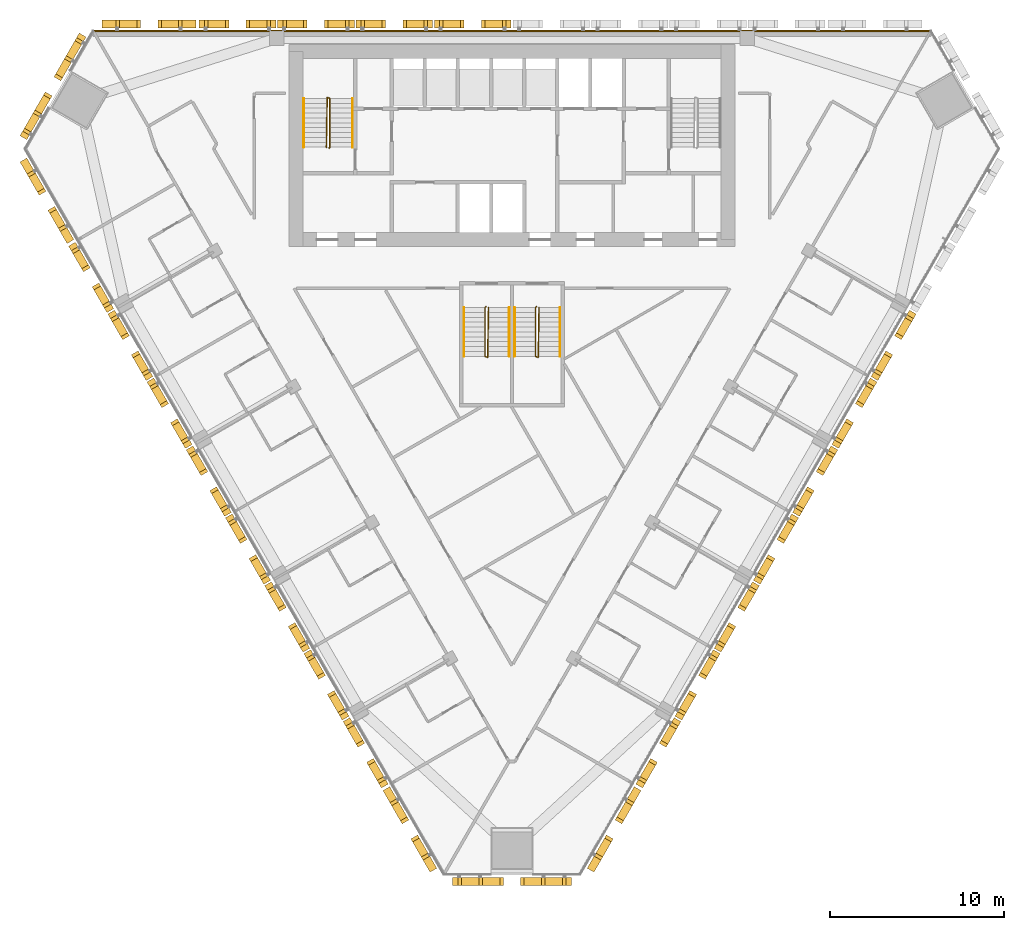
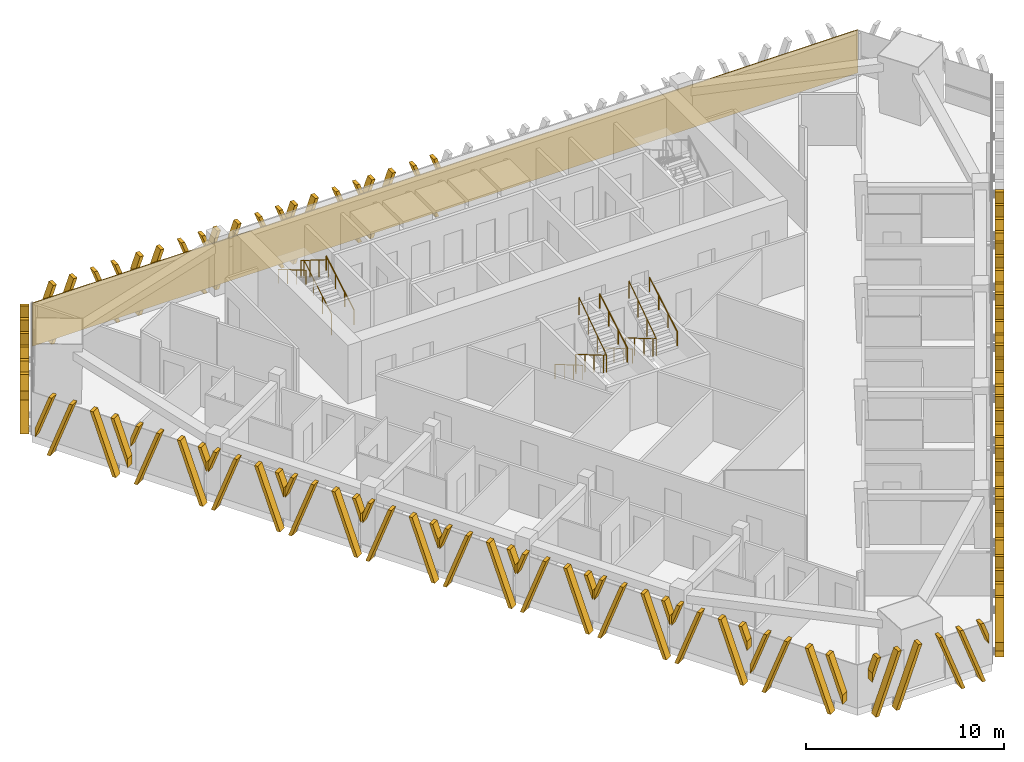
# One storey, part 14 of 16: 25 shading devices, 9 railings, 1 covering.
"""IFC4 building model written with IfcOpenShell, lengths in metres."""

import ifcopenshell
import ifcopenshell.guid

model = None  # the IFC model being written
_history = None  # IfcOwnerHistory: only IFC2X3 demands one
_inside = {}  # id of a spatial element -> (the spatial element, [elements in it])
_under = {}  # id of a project, library or spatial element -> (it, [spatial elements below it])
_declared = {}  # id of a project -> (the project, [libraries it declares])
_typed = {}  # id of a type object -> (the type object, [elements of that type])
_made_of = {}  # id of a material, layer set ... -> (it, [elements and type objects made of it])


def new_model(schema):
    """Start an empty IFC model of exactly this schema.

    Asked for "IFC4X3", IfcOpenShell would pick the latest addendum, in which some entities
    have other attributes; the version numbers below select the first issue.
    IFC2X3 requires an IfcOwnerHistory on every rooted entity: one is made here for all.
    """
    global model, _history
    if schema == "IFC4X3":
        model = ifcopenshell.file(schema_version=(4, 3, 0, 0))
    else:
        model = ifcopenshell.file(schema=schema)
    _inside.clear()
    _under.clear()
    _declared.clear()
    _typed.clear()
    _made_of.clear()
    _history = None
    if model.schema == "IFC2X3":
        org = make("IfcOrganization", Name="unknown")
        user = make(
            "IfcPersonAndOrganization",
            ThePerson=make("IfcPerson", FamilyName="unknown"),
            TheOrganization=org,
        )
        app = make(
            "IfcApplication",
            ApplicationDeveloper=org,
            Version="unknown",
            ApplicationFullName="unknown",
            ApplicationIdentifier="unknown",
        )
        _history = make(
            "IfcOwnerHistory",
            OwningUser=user,
            OwningApplication=app,
            ChangeAction="ADDED",
            CreationDate=0,
        )
    return model


def make(cls, **values):
    """One entity of the class cls with the attributes given. An attribute that is None is left unset."""
    return model.create_entity(
        cls, **{name: value for name, value in values.items() if value is not None}
    )


def rooted(cls, **values):
    """An entity with a GlobalId (a new one), such as an element, a storey or a relation."""
    return make(cls, GlobalId=ifcopenshell.guid.new(), OwnerHistory=_history, **values)


def si_unit(unit_type, name, prefix=None):
    """IfcSIUnit, for example si_unit("LENGTHUNIT", "METRE", prefix="MILLI")."""
    return make("IfcSIUnit", UnitType=unit_type, Prefix=prefix, Name=name)


def assignment(units):
    """IfcUnitAssignment: the units of a project."""
    return None if units is None else make("IfcUnitAssignment", Units=units)


def point(xyz):
    """IfcCartesianPoint."""
    return None if xyz is None else make("IfcCartesianPoint", Coordinates=xyz)


def direction(xyz):
    """IfcDirection."""
    return None if xyz is None else make("IfcDirection", DirectionRatios=xyz)


def frame(location, z_axis=None, x_axis=None):
    """IfcAxis2Placement3D, a coordinate frame: its origin and axes. An axis left out is left unset."""
    return make(
        "IfcAxis2Placement3D",
        Location=point(location),
        Axis=direction(z_axis),
        RefDirection=direction(x_axis),
    )


def frame_2d(location, x_axis=None):
    """IfcAxis2Placement2D, a coordinate frame in the plane: its origin and x axis."""
    return make(
        "IfcAxis2Placement2D", Location=point(location), RefDirection=direction(x_axis)
    )


def origin():
    """The frame at (0, 0, 0) with its axes left unset."""
    return frame((0.0, 0.0, 0.0))


def origin_2d():
    """The frame at (0, 0) in the plane with its x axis left unset."""
    return frame_2d((0.0, 0.0))


def place(relative_to, where):
    """IfcLocalPlacement: puts the frame where relative to a parent placement (None: the world)."""
    return make(
        "IfcLocalPlacement", PlacementRelTo=relative_to, RelativePlacement=where
    )


def context(
    kind, dimensions, precision=None, world=None, true_north=None, identifier=None
):
    """IfcGeometricRepresentationContext, for example the 3D "Model" context."""
    return make(
        "IfcGeometricRepresentationContext",
        ContextIdentifier=identifier,
        ContextType=kind,
        CoordinateSpaceDimension=dimensions,
        Precision=precision,
        WorldCoordinateSystem=world,
        TrueNorth=true_north,
    )


def subcontext(parent, identifier, kind, view, scale=None):
    """IfcGeometricRepresentationSubContext, for example "Body" below "Model"."""
    return make(
        "IfcGeometricRepresentationSubContext",
        ContextIdentifier=identifier,
        ContextType=kind,
        ParentContext=parent,
        TargetScale=scale,
        TargetView=view,
    )


def project(units=None, contexts=None):
    """IfcProject with its units and contexts."""
    return rooted(
        "IfcProject",
        Name="project",
        RepresentationContexts=contexts,
        UnitsInContext=assignment(units),
    )


def spatial(cls, under=None, at=None, **own):
    """A site, building, storey or space (cls), placed at a placement, below another one or the project."""
    s = rooted(cls, ObjectPlacement=at, **own)
    if under is not None:
        _under.setdefault(under.id(), (under, []))[1].append(s)
    return s


def polyline(points):
    """IfcPolyline through the points."""
    return make("IfcPolyline", Points=[point(p) for p in points])


def profile(cls, at=None, kind="AREA", **sizes):
    """A parametric profile (cls). Its sizes go by their IFC names, for example OverallWidth=200.0."""
    return make(cls, ProfileType=kind, Position=at, **sizes)


def rectangle(**sizes):
    """IfcRectangleProfileDef."""
    return profile("IfcRectangleProfileDef", **sizes)


def circle(**sizes):
    """IfcCircleProfileDef."""
    return profile("IfcCircleProfileDef", **sizes)


def outline(outer, holes=None, kind="AREA"):
    """IfcArbitraryClosedProfileDef: a profile drawn as a closed curve; with holes, ...WithVoids."""
    if holes is None:
        return make("IfcArbitraryClosedProfileDef", ProfileType=kind, OuterCurve=outer)
    return make(
        "IfcArbitraryProfileDefWithVoids",
        ProfileType=kind,
        OuterCurve=outer,
        InnerCurves=holes,
    )


def extrude(swept, where, along, depth):
    """IfcExtrudedAreaSolid: the profile swept, set in the frame where, extruded along a direction by depth."""
    return make(
        "IfcExtrudedAreaSolid",
        SweptArea=swept,
        Position=where,
        ExtrudedDirection=direction(along),
        Depth=depth,
    )


def shape(context_of_items, identifier, shape_type, items):
    """IfcShapeRepresentation: the items that make up one representation, for example the "Body"."""
    return make(
        "IfcShapeRepresentation",
        ContextOfItems=context_of_items,
        RepresentationIdentifier=identifier,
        RepresentationType=shape_type,
        Items=items,
    )


def source(mapping_origin, context_of_items, identifier, shape_type, items):
    """IfcRepresentationMap: a shape defined once, which mapped items show again and again."""
    return make(
        "IfcRepresentationMap",
        MappingOrigin=mapping_origin,
        MappedRepresentation=shape(context_of_items, identifier, shape_type, items),
    )


def transform(
    local_origin,
    x_axis=None,
    y_axis=None,
    z_axis=None,
    scale=None,
    scale2=None,
    scale3=None,
    uniform=True,
):
    """IfcCartesianTransformationOperator3D, or its non-uniform kind. x_axis, y_axis, z_axis: its Axis1, 2, 3."""
    if uniform:
        return make(
            "IfcCartesianTransformationOperator3D",
            Axis1=direction(x_axis),
            Axis2=direction(y_axis),
            LocalOrigin=point(local_origin),
            Scale=scale,
            Axis3=direction(z_axis),
        )
    return make(
        "IfcCartesianTransformationOperator3DnonUniform",
        Axis1=direction(x_axis),
        Axis2=direction(y_axis),
        LocalOrigin=point(local_origin),
        Scale=scale,
        Axis3=direction(z_axis),
        Scale2=scale2,
        Scale3=scale3,
    )


def mapped(mapping_source, mapping_target):
    """IfcMappedItem: shows the shape of a source again, moved by a transform."""
    return make(
        "IfcMappedItem", MappingSource=mapping_source, MappingTarget=mapping_target
    )


def material(Name=None, Category=None):
    """IfcMaterial."""
    return make("IfcMaterial", Name=Name, Category=Category)


def layer(
    of_material, thickness, ventilated=None, Name=None, Category=None, Priority=None
):
    """IfcMaterialLayer: one layer of a wall or slab, of a material (None: an air gap)."""
    return make(
        "IfcMaterialLayer",
        Material=of_material,
        LayerThickness=thickness,
        IsVentilated=ventilated,
        Name=Name,
        Category=Category,
        Priority=Priority,
    )


def layer_set(layers, Name=None):
    """IfcMaterialLayerSet."""
    return make("IfcMaterialLayerSet", MaterialLayers=layers, LayerSetName=Name)


def made_of(thing, what):
    """Note that an element or type object is made of a material, layer set ...; save() writes the relation."""
    if what is not None:
        _made_of.setdefault(what.id(), (what, []))[1].append(thing)
    return thing


def type_object(cls, material=None, **own):
    """A type object (cls), such as IfcWallType, which elements share."""
    return made_of(rooted(cls, **own), material)


def element(
    cls,
    number,
    at=None,
    inside=None,
    cuts=None,
    type_object=None,
    material=None,
    context=None,
    identifier="Body",
    shape_type=None,
    held_by="IfcProductDefinitionShape",
    body=None,
    shapes=None,
    **own,
):
    """One element of the class cls, such as IfcWall. Its Tag is "e" and its number.

    at: its placement. inside: the storey or other place that contains it. cuts: it is an
    opening in that element (IfcRelVoidsElement). A single representation is given by context,
    identifier, shape_type and body (its items); several are given by shapes. held_by: the class
    of the entity that holds the representations. save() writes the other relations.
    """
    e = rooted(cls, Tag="e%d" % number, ObjectPlacement=at, **own)
    if body is not None:
        shapes = [shape(context, identifier, shape_type, body)]
    if shapes is not None:
        e.Representation = make(held_by, Representations=shapes)
    if inside is not None:
        _inside.setdefault(inside.id(), (inside, []))[1].append(e)
    if cuts is not None:
        rooted(
            "IfcRelVoidsElement", RelatingBuildingElement=cuts, RelatedOpeningElement=e
        )
    if type_object is not None:
        _typed.setdefault(type_object.id(), (type_object, []))[1].append(e)
    return made_of(e, material)


def aggregate(whole, parts):
    """IfcRelAggregates: a whole, such as a stair, and the parts it consists of."""
    return rooted("IfcRelAggregates", RelatingObject=whole, RelatedObjects=parts)


def save(model, path):
    """Write the relations noted so far, then the file.

    IfcRelAggregates (storeys below a building ...), IfcRelContainedInSpatialStructure (elements
    in a storey), IfcRelDefinesByType, IfcRelAssociatesMaterial and IfcRelDeclares: one each for
    every whole, place, type object, material and project.
    """
    for whole, parts in _under.values():
        aggregate(whole, parts)
    for where, things in _inside.values():
        rooted(
            "IfcRelContainedInSpatialStructure",
            RelatedElements=things,
            RelatingStructure=where,
        )
    for kind, things in _typed.values():
        rooted("IfcRelDefinesByType", RelatedObjects=things, RelatingType=kind)
    for what, things in _made_of.values():
        rooted("IfcRelAssociatesMaterial", RelatedObjects=things, RelatingMaterial=what)
    for by, libraries in _declared.values():
        rooted("IfcRelDeclares", RelatingContext=by, RelatedDefinitions=libraries)
    model.write(path)


model = new_model("IFC4")

# Units and contexts
model_context = context("Model", 3, precision=1e-05, world=origin(), true_north=direction((0.0, 1.0)))
body_context = subcontext(model_context, "Body", "Model", "MODEL_VIEW")
ifc_project = project(units=[si_unit("LENGTHUNIT", "METRE"), si_unit("AREAUNIT", "SQUARE_METRE"), si_unit("VOLUMEUNIT", "CUBIC_METRE"), si_unit("PLANEANGLEUNIT", "RADIAN"), si_unit("MASSUNIT", "GRAM", prefix="KILO")], contexts=[model_context])

# Site, building, storey
site_placement = place(None, origin())
site = spatial("IfcSite", under=ifc_project, at=site_placement, CompositionType="ELEMENT")
building_placement = place(site_placement, origin())
building = spatial("IfcBuilding", under=site, at=building_placement, Name="Altiplano Prism Tower", CompositionType="ELEMENT")
storey_placement = place(building_placement, frame((0.0, 0.0, 127.800048828125)))
storey = spatial("IfcBuildingStorey", under=building, at=storey_placement, Name="L32", CompositionType="ELEMENT", Elevation=127.800048828125)

# Railings
ifc_material_1 = material(Name="Steel S355", Category="steel")
railing_type_1 = type_object("IfcRailingType", Name="Stair guard 1100", PredefinedType="GUARDRAIL", material=ifc_material_1)
railing_1_placement = place(storey_placement, frame((74.5, 98.25, 0.0)))
element("IfcRailing", 1, at=railing_1_placement, inside=storey, type_object=railing_type_1, Name="L32 ST1 stair guard 1", PredefinedType="GUARDRAIL", context=body_context, shape_type="SweptSolid", body=[
    extrude(circle(Radius=0.02392578125, at=origin_2d()), frame((0.0, 0.0, 1.076171875), z_axis=(0.280808744504, 0.280808744504, 0.917765164963), x_axis=(-0.707106781187, 0.707106781187, 0.0)), (0.0, 0.0, 1.0), 0.17822265625),
    extrude(circle(Radius=0.02392578125, at=origin_2d()), frame((0.050048828125, 0.050048828125, 1.23974609375), z_axis=(0.0, 0.863360870873, 0.504586966384), x_axis=(-1.0, 0.0, 0.0)), (0.0, 0.0, 1.0), 3.2431640625),
    extrude(circle(Radius=0.02392578125, at=origin_2d()), frame((0.050048828125, 2.85009765625, 2.8759765625), z_axis=(-0.949145278916, 0.314838433982, 0.0), x_axis=(-0.314838433982, -0.949145278916, 0.0)), (0.0, 0.0, 1.0), 0.158203125),
    extrude(circle(Radius=0.02392578125, at=origin_2d()), frame((-0.10009765625, 2.89990234375, 2.8759765625), z_axis=(-0.014774583964, -0.845410385345, 0.533912906773), x_axis=(0.999847325713, -0.01747355902, 0.0)), (0.0, 0.0, 1.0), 3.370849609375),
    extrude(circle(Radius=0.02099609375, at=origin_2d()), origin(), (0.0, 0.0, 1.0), 1.052001953125),
    extrude(circle(Radius=0.02099609375, at=origin_2d()), frame((0.050048828125, 0.050048828125, 0.16357421875)), (0.0, 0.0, 1.0), 1.052001953125),
    extrude(circle(Radius=0.02099609375, at=origin_2d()), frame((0.050048828125, 0.9833984375, 0.708984375)), (0.0, 0.0, 1.0), 1.052001953125),
    extrude(circle(Radius=0.02099609375, at=origin_2d()), frame((0.050048828125, 1.916748046875, 1.254638671875)), (0.0, 0.0, 1.0), 1.052001953125),
    extrude(circle(Radius=0.02099609375, at=origin_2d()), frame((0.050048828125, 2.85009765625, 1.800048828125)), (0.0, 0.0, 1.0), 1.052001953125),
    extrude(circle(Radius=0.02099609375, at=origin_2d()), frame((-0.10009765625, 2.89990234375, 1.800048828125)), (0.0, 0.0, 1.0), 1.052001953125),
    extrude(circle(Radius=0.02099609375, at=origin_2d()), frame((-0.11669921875, 1.949951171875, 2.39990234375)), (0.0, 0.0, 1.0), 1.052001953125),
    extrude(circle(Radius=0.02099609375, at=origin_2d()), frame((-0.13330078125, 1.0, 3.0)), (0.0, 0.0, 1.0), 1.052001953125),
    extrude(circle(Radius=0.02099609375, at=origin_2d()), frame((-0.14990234375, 0.050048828125, 3.599853515625)), (0.0, 0.0, 1.0), 1.052001953125),
])
railing_2_placement = place(storey_placement, frame((83.5, 89.14990234375, 0.0)))
element("IfcRailing", 2, at=railing_2_placement, inside=storey, type_object=railing_type_1, Name="L32 ST3A stair guard 1", PredefinedType="GUARDRAIL", context=body_context, shape_type="SweptSolid", body=[
    extrude(circle(Radius=0.02392578125, at=origin_2d()), frame((0.0, 0.0, 1.076171875), z_axis=(-0.280916556609, -0.279546231943, 0.91811752648), x_axis=(0.705375805398, -0.708833529934, 0.0)), (0.0, 0.0, 1.0), 0.17822265625),
    extrude(circle(Radius=0.02392578125, at=origin_2d()), frame((-0.050048828125, -0.0498046875, 1.23974609375), z_axis=(0.0, -0.863360870873, 0.504586966384), x_axis=(1.0, 0.0, 0.0)), (0.0, 0.0, 1.0), 3.2431640625),
    extrude(circle(Radius=0.02392578125, at=origin_2d()), frame((-0.050048828125, -2.849853515625, 2.8759765625), z_axis=(0.948683298051, -0.316227766017, 0.0), x_axis=(0.316227766017, 0.948683298051, 0.0)), (0.0, 0.0, 1.0), 0.158203125),
    extrude(circle(Radius=0.02392578125, at=origin_2d()), frame((0.10009765625, -2.89990234375, 2.8759765625), z_axis=(0.014773679385, 0.845431044782, 0.53388021776), x_axis=(-0.999847351862, 0.017472062685, 0.0)), (0.0, 0.0, 1.0), 3.37109375),
    extrude(circle(Radius=0.02099609375, at=origin_2d()), origin(), (0.0, 0.0, 1.0), 1.052001953125),
    extrude(circle(Radius=0.02099609375, at=origin_2d()), frame((-0.050048828125, -0.0498046875, 0.16357421875)), (0.0, 0.0, 1.0), 1.052001953125),
    extrude(circle(Radius=0.02099609375, at=origin_2d()), frame((-0.050048828125, -0.983154296875, 0.708984375)), (0.0, 0.0, 1.0), 1.052001953125),
    extrude(circle(Radius=0.02099609375, at=origin_2d()), frame((-0.050048828125, -1.91650390625, 1.254638671875)), (0.0, 0.0, 1.0), 1.052001953125),
    extrude(circle(Radius=0.02099609375, at=origin_2d()), frame((-0.050048828125, -2.849853515625, 1.800048828125)), (0.0, 0.0, 1.0), 1.052001953125),
    extrude(circle(Radius=0.02099609375, at=origin_2d()), frame((0.10009765625, -2.89990234375, 1.800048828125)), (0.0, 0.0, 1.0), 1.052001953125),
    extrude(circle(Radius=0.02099609375, at=origin_2d()), frame((0.11669921875, -1.949951171875, 2.39990234375)), (0.0, 0.0, 1.0), 1.052001953125),
    extrude(circle(Radius=0.02099609375, at=origin_2d()), frame((0.13330078125, -0.999755859375, 3.0)), (0.0, 0.0, 1.0), 1.052001953125),
    extrude(circle(Radius=0.02099609375, at=origin_2d()), frame((0.14990234375, -0.0498046875, 3.599853515625)), (0.0, 0.0, 1.0), 1.052001953125),
])
railing_3_placement = place(storey_placement, frame((86.39990234375, 89.14990234375, 0.0)))
element("IfcRailing", 3, at=railing_3_placement, inside=storey, type_object=railing_type_1, Name="L32 ST3B stair guard 1", PredefinedType="GUARDRAIL", context=body_context, shape_type="SweptSolid", body=[
    extrude(circle(Radius=0.02392578125, at=origin_2d()), frame((0.0, 0.0, 1.076171875), z_axis=(-0.279653641804, -0.279653641804, 0.918470294159), x_axis=(0.707106781187, -0.707106781187, 0.0)), (0.0, 0.0, 1.0), 0.177978515625),
    extrude(circle(Radius=0.02392578125, at=origin_2d()), frame((-0.0498046875, -0.0498046875, 1.23974609375), z_axis=(0.0, -0.863360870873, 0.504586966384), x_axis=(1.0, 0.0, 0.0)), (0.0, 0.0, 1.0), 3.2431640625),
    extrude(circle(Radius=0.02392578125, at=origin_2d()), frame((-0.0498046875, -2.849853515625, 2.8759765625), z_axis=(0.948528701346, -0.316691178788, 0.0), x_axis=(0.316691178788, 0.948528701346, 0.0)), (0.0, 0.0, 1.0), 0.157958984375),
    extrude(circle(Radius=0.02392578125, at=origin_2d()), frame((0.10009765625, -2.89990234375, 2.8759765625), z_axis=(0.014846083459, 0.845430138032, 0.533879645158), x_axis=(-0.999845851991, 0.017557683712, 0.0)), (0.0, 0.0, 1.0), 3.37109375),
    extrude(circle(Radius=0.02099609375, at=origin_2d()), origin(), (0.0, 0.0, 1.0), 1.052001953125),
    extrude(circle(Radius=0.02099609375, at=origin_2d()), frame((-0.0498046875, -0.0498046875, 0.16357421875)), (0.0, 0.0, 1.0), 1.052001953125),
    extrude(circle(Radius=0.02099609375, at=origin_2d()), frame((-0.0498046875, -0.983154296875, 0.708984375)), (0.0, 0.0, 1.0), 1.052001953125),
    extrude(circle(Radius=0.02099609375, at=origin_2d()), frame((-0.0498046875, -1.91650390625, 1.254638671875)), (0.0, 0.0, 1.0), 1.052001953125),
    extrude(circle(Radius=0.02099609375, at=origin_2d()), frame((-0.0498046875, -2.849853515625, 1.800048828125)), (0.0, 0.0, 1.0), 1.052001953125),
    extrude(circle(Radius=0.02099609375, at=origin_2d()), frame((0.10009765625, -2.89990234375, 1.800048828125)), (0.0, 0.0, 1.0), 1.052001953125),
    extrude(circle(Radius=0.02099609375, at=origin_2d()), frame((0.11669921875, -1.949951171875, 2.39990234375)), (0.0, 0.0, 1.0), 1.052001953125),
    extrude(circle(Radius=0.02099609375, at=origin_2d()), frame((0.133544921875, -0.999755859375, 3.0)), (0.0, 0.0, 1.0), 1.052001953125),
    extrude(circle(Radius=0.02099609375, at=origin_2d()), frame((0.150146484375, -0.0498046875, 3.599853515625)), (0.0, 0.0, 1.0), 1.052001953125),
])
railing_type_2 = type_object("IfcRailingType", Name="Stair handrail 900", PredefinedType="HANDRAIL", material=ifc_material_1)
railing_4_placement = place(storey_placement, frame((75.85009765625, 98.300048828125, 0.16357421875)))
element("IfcRailing", 4, at=railing_4_placement, inside=storey, type_object=railing_type_2, Name="L32 ST1 stair handrail 1", PredefinedType="HANDRAIL", context=body_context, shape_type="SweptSolid", body=[
    extrude(circle(Radius=0.02392578125, at=origin_2d()), frame((0.0, 0.0, 0.8759765625), z_axis=(0.0, 0.863360870873, 0.504586966384), x_axis=(-1.0, 0.0, 0.0)), (0.0, 0.0, 1.0), 3.2431640625),
    extrude(circle(Radius=0.02099609375, at=origin_2d()), origin(), (0.0, 0.0, 1.0), 0.851806640625),
    extrude(circle(Radius=0.02099609375, at=origin_2d()), frame((0.0, 0.933349609375, 0.54541015625)), (0.0, 0.0, 1.0), 0.851806640625),
    extrude(circle(Radius=0.02099609375, at=origin_2d()), frame((0.0, 1.86669921875, 1.091064453125)), (0.0, 0.0, 1.0), 0.851806640625),
    extrude(circle(Radius=0.02099609375, at=origin_2d()), frame((0.0, 2.800048828125, 1.636474609375)), (0.0, 0.0, 1.0), 0.851806640625),
])
railing_5_placement = place(storey_placement, frame((73.050048828125, 101.10009765625, 1.963623046875)))
element("IfcRailing", 5, at=railing_5_placement, inside=storey, type_object=railing_type_2, Name="L32 ST1 stair handrail 2", PredefinedType="HANDRAIL", context=body_context, shape_type="SweptSolid", body=[
    extrude(circle(Radius=0.02392578125, at=origin_2d()), frame((0.0, 0.0, 0.8759765625), z_axis=(0.0, -0.863393664356, 0.504530851732), x_axis=(1.0, 0.0, 0.0)), (0.0, 0.0, 1.0), 3.2431640625),
    extrude(circle(Radius=0.02099609375, at=origin_2d()), origin(), (0.0, 0.0, 1.0), 0.851806640625),
    extrude(circle(Radius=0.02099609375, at=origin_2d()), frame((0.0, -0.933349609375, 0.54541015625)), (0.0, 0.0, 1.0), 0.851806640625),
    extrude(circle(Radius=0.02099609375, at=origin_2d()), frame((0.0, -1.86669921875, 1.0908203125)), (0.0, 0.0, 1.0), 0.851806640625),
    extrude(circle(Radius=0.02099609375, at=origin_2d()), frame((0.0, -2.800048828125, 1.63623046875)), (0.0, 0.0, 1.0), 0.851806640625),
])
railing_6_placement = place(storey_placement, frame((82.25, 89.10009765625, 0.16357421875)))
element("IfcRailing", 6, at=railing_6_placement, inside=storey, type_object=railing_type_2, Name="L32 ST3A stair handrail 1", PredefinedType="HANDRAIL", context=body_context, shape_type="SweptSolid", body=[
    extrude(circle(Radius=0.02392578125, at=origin_2d()), frame((0.0, 0.0, 0.8759765625), z_axis=(0.0, -0.863360870873, 0.504586966384), x_axis=(1.0, 0.0, 0.0)), (0.0, 0.0, 1.0), 3.2431640625),
    extrude(circle(Radius=0.02099609375, at=origin_2d()), origin(), (0.0, 0.0, 1.0), 0.851806640625),
    extrude(circle(Radius=0.02099609375, at=origin_2d()), frame((0.0, -0.933349609375, 0.54541015625)), (0.0, 0.0, 1.0), 0.851806640625),
    extrude(circle(Radius=0.02099609375, at=origin_2d()), frame((0.0, -1.86669921875, 1.091064453125)), (0.0, 0.0, 1.0), 0.851806640625),
    extrude(circle(Radius=0.02099609375, at=origin_2d()), frame((0.0, -2.800048828125, 1.636474609375)), (0.0, 0.0, 1.0), 0.851806640625),
])
railing_7_placement = place(storey_placement, frame((84.85009765625, 86.300048828125, 1.963623046875)))
element("IfcRailing", 7, at=railing_7_placement, inside=storey, type_object=railing_type_2, Name="L32 ST3A stair handrail 2", PredefinedType="HANDRAIL", context=body_context, shape_type="SweptSolid", body=[
    extrude(circle(Radius=0.02392578125, at=origin_2d()), frame((0.0, 0.0, 0.8759765625), z_axis=(0.0, 0.863393664356, 0.504530851732), x_axis=(-1.0, 0.0, 0.0)), (0.0, 0.0, 1.0), 3.2431640625),
    extrude(circle(Radius=0.02099609375, at=origin_2d()), origin(), (0.0, 0.0, 1.0), 0.851806640625),
    extrude(circle(Radius=0.02099609375, at=origin_2d()), frame((0.0, 0.933349609375, 0.54541015625)), (0.0, 0.0, 1.0), 0.851806640625),
    extrude(circle(Radius=0.02099609375, at=origin_2d()), frame((0.0, 1.86669921875, 1.0908203125)), (0.0, 0.0, 1.0), 0.851806640625),
    extrude(circle(Radius=0.02099609375, at=origin_2d()), frame((0.0, 2.800048828125, 1.63623046875)), (0.0, 0.0, 1.0), 0.851806640625),
])
railing_8_placement = place(storey_placement, frame((85.14990234375, 89.10009765625, 0.16357421875)))
element("IfcRailing", 8, at=railing_8_placement, inside=storey, type_object=railing_type_2, Name="L32 ST3B stair handrail 1", PredefinedType="HANDRAIL", context=body_context, shape_type="SweptSolid", body=[
    extrude(circle(Radius=0.02392578125, at=origin_2d()), frame((0.0, 0.0, 0.8759765625), z_axis=(0.0, -0.863360870873, 0.504586966384), x_axis=(1.0, 0.0, 0.0)), (0.0, 0.0, 1.0), 3.2431640625),
    extrude(circle(Radius=0.02099609375, at=origin_2d()), origin(), (0.0, 0.0, 1.0), 0.851806640625),
    extrude(circle(Radius=0.02099609375, at=origin_2d()), frame((0.0, -0.933349609375, 0.54541015625)), (0.0, 0.0, 1.0), 0.851806640625),
    extrude(circle(Radius=0.02099609375, at=origin_2d()), frame((0.0, -1.86669921875, 1.091064453125)), (0.0, 0.0, 1.0), 0.851806640625),
    extrude(circle(Radius=0.02099609375, at=origin_2d()), frame((0.0, -2.800048828125, 1.636474609375)), (0.0, 0.0, 1.0), 0.851806640625),
])
railing_9_placement = place(storey_placement, frame((87.75, 86.300048828125, 1.963623046875)))
element("IfcRailing", 9, at=railing_9_placement, inside=storey, type_object=railing_type_2, Name="L32 ST3B stair handrail 2", PredefinedType="HANDRAIL", context=body_context, shape_type="SweptSolid", body=[
    extrude(circle(Radius=0.02392578125, at=origin_2d()), frame((0.0, 0.0, 0.8759765625), z_axis=(0.0, 0.863393664356, 0.504530851732), x_axis=(-1.0, 0.0, 0.0)), (0.0, 0.0, 1.0), 3.2431640625),
    extrude(circle(Radius=0.02099609375, at=origin_2d()), origin(), (0.0, 0.0, 1.0), 0.851806640625),
    extrude(circle(Radius=0.02099609375, at=origin_2d()), frame((0.0, 0.933349609375, 0.54541015625)), (0.0, 0.0, 1.0), 0.851806640625),
    extrude(circle(Radius=0.02099609375, at=origin_2d()), frame((0.0, 1.86669921875, 1.0908203125)), (0.0, 0.0, 1.0), 0.851806640625),
    extrude(circle(Radius=0.02099609375, at=origin_2d()), frame((0.0, 2.800048828125, 1.63623046875)), (0.0, 0.0, 1.0), 0.851806640625),
])

# Covering
ifc_material_2 = material(Name="Warm limestone cast stone", Category="masonry")
ifc_layer = layer(ifc_material_2, 0.06005859375)
ifc_layer_set = layer_set([ifc_layer], Name="Warm limestone cast stone")
covering_type = type_object("IfcCoveringType", Name="Stone cladding 60", PredefinedType="CLADDING", material=ifc_layer_set)
covering_placement = place(storey_placement, frame((60.951171875, 104.969970703125, 0.0), z_axis=(0.0, 0.0, 1.0), x_axis=(1.0, 0.0, 0.0)))
element("IfcCovering", 10, at=covering_placement, inside=storey, type_object=covering_type, Name="Stone cladding north face L32", PredefinedType="CLADDING", context=body_context, shape_type="SweptSolid", body=[
    extrude(rectangle(XDim=48.09765625, YDim=0.06005859375, at=frame_2d((24.048828125, 0.0))), origin(), (0.0, 0.0, 1.0), 2.64990234375),
])

# Shading devices
shading_device_type_1 = type_object("IfcShadingDeviceType", Name="Stone fin panel, standard unit", PredefinedType="USERDEFINED", material=ifc_material_2)
shared_shape_1 = source(origin(), body_context, "Body", "SweptSolid", [
    extrude(outline(polyline([(-2.199951171875, 2.226318359375), (-1.699951171875, 3.60009765625), (-1.89990234375, 3.60009765625), (-2.199951171875, 2.77587890625), (-2.199951171875, 2.226318359375)])), frame((0.0, -0.14990234375, 0.0), z_axis=(0.0, -1.0, 0.0), x_axis=(1.0, 0.0, 0.0)), (0.0, 0.0, 1.0), 0.4501953125),
    extrude(outline(polyline([(-2.01025390625, 0.0), (-1.810302734375, 0.0), (-0.5, 3.60009765625), (-0.699951171875, 3.60009765625), (-2.01025390625, 0.0)])), frame((0.0, -0.14990234375, 0.0), z_axis=(0.0, -1.0, 0.0), x_axis=(1.0, 0.0, 0.0)), (0.0, 0.0, 1.0), 0.4501953125),
    extrude(outline(polyline([(1.810302734375, 0.0), (2.01025390625, 0.0), (0.699951171875, 3.60009765625), (0.5, 3.60009765625), (1.810302734375, 0.0)])), frame((0.0, -0.14990234375, 0.0), z_axis=(0.0, -1.0, 0.0), x_axis=(1.0, 0.0, 0.0)), (0.0, 0.0, 1.0), 0.4501953125),
    extrude(outline(polyline([(2.199951171875, 2.77587890625), (1.89990234375, 3.60009765625), (1.699951171875, 3.60009765625), (2.199951171875, 2.226318359375), (2.199951171875, 2.77587890625)])), frame((0.0, -0.14990234375, 0.0), z_axis=(0.0, -1.0, 0.0), x_axis=(1.0, 0.0, 0.0)), (0.0, 0.0, 1.0), 0.4501953125),
])
shading_device_1_placement = place(storey_placement, origin())
element("IfcShadingDevice", 11, at=shading_device_1_placement, inside=storey, type_object=shading_device_type_1, Name="Fin L32 north face 6", ObjectType="FIN", PredefinedType="USERDEFINED", context=body_context, shape_type="MappedRepresentation", body=[
    mapped(shared_shape_1, transform((82.75, 105.0, -0.449951171875), x_axis=(-1.0, 0.0, 0.0), y_axis=(0.0, -1.0, 0.0), z_axis=(0.0, 0.0, 1.0))),
])
shading_device_2_placement = place(storey_placement, origin())
element("IfcShadingDevice", 12, at=shading_device_2_placement, inside=storey, type_object=shading_device_type_1, Name="Fin L32 north face 7", ObjectType="FIN", PredefinedType="USERDEFINED", context=body_context, shape_type="MappedRepresentation", body=[
    mapped(shared_shape_1, transform((78.25, 105.0, -0.449951171875), x_axis=(-1.0, 0.0, 0.0), y_axis=(0.0, -1.0, 0.0), z_axis=(0.0, 0.0, 1.0))),
])
shading_device_3_placement = place(storey_placement, origin())
element("IfcShadingDevice", 13, at=shading_device_3_placement, inside=storey, type_object=shading_device_type_1, Name="Fin L32 north face 8", ObjectType="FIN", PredefinedType="USERDEFINED", context=body_context, shape_type="MappedRepresentation", body=[
    mapped(shared_shape_1, transform((73.75, 105.0, -0.449951171875), x_axis=(-1.0, 0.0, 0.0), y_axis=(0.0, -1.0, 0.0), z_axis=(0.0, 0.0, 1.0))),
])
shading_device_4_placement = place(storey_placement, origin())
element("IfcShadingDevice", 14, at=shading_device_4_placement, inside=storey, type_object=shading_device_type_1, Name="Fin L32 north face 9", ObjectType="FIN", PredefinedType="USERDEFINED", context=body_context, shape_type="MappedRepresentation", body=[
    mapped(shared_shape_1, transform((69.25, 105.0, -0.449951171875), x_axis=(-1.0, 0.0, 0.0), y_axis=(0.0, -1.0, 0.0), z_axis=(0.0, 0.0, 1.0))),
])
shading_device_5_placement = place(storey_placement, origin())
element("IfcShadingDevice", 15, at=shading_device_5_placement, inside=storey, type_object=shading_device_type_1, Name="Fin L32 south-west face 2", ObjectType="FIN", PredefinedType="USERDEFINED", context=body_context, shape_type="MappedRepresentation", body=[
    mapped(shared_shape_1, transform((61.17822265625, 91.019287109375, -0.449951171875), x_axis=(0.499999999907, -0.866025403838, 0.0), y_axis=(0.866025403838, 0.499999999907, 0.0), z_axis=(0.0, 0.0, 1.0))),
])
shading_device_6_placement = place(storey_placement, origin())
element("IfcShadingDevice", 16, at=shading_device_6_placement, inside=storey, type_object=shading_device_type_1, Name="Fin L32 south-west face 3", ObjectType="FIN", PredefinedType="USERDEFINED", context=body_context, shape_type="MappedRepresentation", body=[
    mapped(shared_shape_1, transform((63.42822265625, 87.1220703125, -0.449951171875), x_axis=(0.499999999907, -0.866025403838, 0.0), y_axis=(0.866025403838, 0.499999999907, 0.0), z_axis=(0.0, 0.0, 1.0))),
])
shading_device_7_placement = place(storey_placement, origin())
element("IfcShadingDevice", 17, at=shading_device_7_placement, inside=storey, type_object=shading_device_type_1, Name="Fin L32 south-west face 4", ObjectType="FIN", PredefinedType="USERDEFINED", context=body_context, shape_type="MappedRepresentation", body=[
    mapped(shared_shape_1, transform((65.67822265625, 83.224853515625, -0.449951171875), x_axis=(0.499999999907, -0.866025403838, 0.0), y_axis=(0.866025403838, 0.499999999907, 0.0), z_axis=(0.0, 0.0, 1.0))),
])
shading_device_8_placement = place(storey_placement, origin())
element("IfcShadingDevice", 18, at=shading_device_8_placement, inside=storey, type_object=shading_device_type_1, Name="Fin L32 south-west face 5", ObjectType="FIN", PredefinedType="USERDEFINED", context=body_context, shape_type="MappedRepresentation", body=[
    mapped(shared_shape_1, transform((67.92822265625, 79.327880859375, -0.449951171875), x_axis=(0.499999999907, -0.866025403838, 0.0), y_axis=(0.866025403838, 0.499999999907, 0.0), z_axis=(0.0, 0.0, 1.0))),
])
shading_device_9_placement = place(storey_placement, origin())
element("IfcShadingDevice", 19, at=shading_device_9_placement, inside=storey, type_object=shading_device_type_1, Name="Fin L32 south-west face 6", ObjectType="FIN", PredefinedType="USERDEFINED", context=body_context, shape_type="MappedRepresentation", body=[
    mapped(shared_shape_1, transform((70.17822265625, 75.4306640625, -0.449951171875), x_axis=(0.499999999907, -0.866025403838, 0.0), y_axis=(0.866025403838, 0.499999999907, 0.0), z_axis=(0.0, 0.0, 1.0))),
])
shading_device_10_placement = place(storey_placement, origin())
element("IfcShadingDevice", 20, at=shading_device_10_placement, inside=storey, type_object=shading_device_type_1, Name="Fin L32 south-west face 7", ObjectType="FIN", PredefinedType="USERDEFINED", context=body_context, shape_type="MappedRepresentation", body=[
    mapped(shared_shape_1, transform((72.42822265625, 71.53369140625, -0.449951171875), x_axis=(0.499999999907, -0.866025403838, 0.0), y_axis=(0.866025403838, 0.499999999907, 0.0), z_axis=(0.0, 0.0, 1.0))),
])
shading_device_11_placement = place(storey_placement, origin())
element("IfcShadingDevice", 21, at=shading_device_11_placement, inside=storey, type_object=shading_device_type_1, Name="Fin L32 south-west face 8", ObjectType="FIN", PredefinedType="USERDEFINED", context=body_context, shape_type="MappedRepresentation", body=[
    mapped(shared_shape_1, transform((74.67822265625, 67.636474609375, -0.449951171875), x_axis=(0.499999999907, -0.866025403838, 0.0), y_axis=(0.866025403838, 0.499999999907, 0.0), z_axis=(0.0, 0.0, 1.0))),
])
shading_device_12_placement = place(storey_placement, origin())
element("IfcShadingDevice", 22, at=shading_device_12_placement, inside=storey, type_object=shading_device_type_1, Name="Fin L32 south-west face 9", ObjectType="FIN", PredefinedType="USERDEFINED", context=body_context, shape_type="MappedRepresentation", body=[
    mapped(shared_shape_1, transform((76.92822265625, 63.739501953125, -0.449951171875), x_axis=(0.499999999907, -0.866025403838, 0.0), y_axis=(0.866025403838, 0.499999999907, 0.0), z_axis=(0.0, 0.0, 1.0))),
])
shading_device_13_placement = place(storey_placement, origin())
element("IfcShadingDevice", 23, at=shading_device_13_placement, inside=storey, type_object=shading_device_type_1, Name="Fin L32 south-east face 2", ObjectType="FIN", PredefinedType="USERDEFINED", context=body_context, shape_type="MappedRepresentation", body=[
    mapped(shared_shape_1, transform((93.07177734375, 63.739501953125, -0.449951171875), x_axis=(0.499999999907, 0.866025403838, 0.0), y_axis=(-0.866025403838, 0.499999999907, 0.0), z_axis=(0.0, 0.0, 1.0))),
])
shading_device_14_placement = place(storey_placement, origin())
element("IfcShadingDevice", 24, at=shading_device_14_placement, inside=storey, type_object=shading_device_type_1, Name="Fin L32 south-east face 3", ObjectType="FIN", PredefinedType="USERDEFINED", context=body_context, shape_type="MappedRepresentation", body=[
    mapped(shared_shape_1, transform((95.32177734375, 67.636474609375, -0.449951171875), x_axis=(0.499999999907, 0.866025403838, 0.0), y_axis=(-0.866025403838, 0.499999999907, 0.0), z_axis=(0.0, 0.0, 1.0))),
])
shading_device_15_placement = place(storey_placement, origin())
element("IfcShadingDevice", 25, at=shading_device_15_placement, inside=storey, type_object=shading_device_type_1, Name="Fin L32 south-east face 4", ObjectType="FIN", PredefinedType="USERDEFINED", context=body_context, shape_type="MappedRepresentation", body=[
    mapped(shared_shape_1, transform((97.57177734375, 71.53369140625, -0.449951171875), x_axis=(0.499999999907, 0.866025403838, 0.0), y_axis=(-0.866025403838, 0.499999999907, 0.0), z_axis=(0.0, 0.0, 1.0))),
])
shading_device_16_placement = place(storey_placement, origin())
element("IfcShadingDevice", 26, at=shading_device_16_placement, inside=storey, type_object=shading_device_type_1, Name="Fin L32 south-east face 5", ObjectType="FIN", PredefinedType="USERDEFINED", context=body_context, shape_type="MappedRepresentation", body=[
    mapped(shared_shape_1, transform((99.82177734375, 75.4306640625, -0.449951171875), x_axis=(0.499999999907, 0.866025403838, 0.0), y_axis=(-0.866025403838, 0.499999999907, 0.0), z_axis=(0.0, 0.0, 1.0))),
])
shading_device_17_placement = place(storey_placement, origin())
element("IfcShadingDevice", 27, at=shading_device_17_placement, inside=storey, type_object=shading_device_type_1, Name="Fin L32 south-east face 6", ObjectType="FIN", PredefinedType="USERDEFINED", context=body_context, shape_type="MappedRepresentation", body=[
    mapped(shared_shape_1, transform((102.07177734375, 79.327880859375, -0.449951171875), x_axis=(0.499999999907, 0.866025403838, 0.0), y_axis=(-0.866025403838, 0.499999999907, 0.0), z_axis=(0.0, 0.0, 1.0))),
])
shading_device_18_placement = place(storey_placement, origin())
element("IfcShadingDevice", 28, at=shading_device_18_placement, inside=storey, type_object=shading_device_type_1, Name="Fin L32 south-east face 7", ObjectType="FIN", PredefinedType="USERDEFINED", context=body_context, shape_type="MappedRepresentation", body=[
    mapped(shared_shape_1, transform((104.32177734375, 83.224853515625, -0.449951171875), x_axis=(0.499999999907, 0.866025403838, 0.0), y_axis=(-0.866025403838, 0.499999999907, 0.0), z_axis=(0.0, 0.0, 1.0))),
])
shading_device_19_placement = place(storey_placement, origin())
element("IfcShadingDevice", 29, at=shading_device_19_placement, inside=storey, type_object=shading_device_type_1, Name="Fin L32 south-east face 8", ObjectType="FIN", PredefinedType="USERDEFINED", context=body_context, shape_type="MappedRepresentation", body=[
    mapped(shared_shape_1, transform((106.57177734375, 87.1220703125, -0.449951171875), x_axis=(0.499999999907, 0.866025403838, 0.0), y_axis=(-0.866025403838, 0.499999999907, 0.0), z_axis=(0.0, 0.0, 1.0))),
])
shading_device_type_2 = type_object("IfcShadingDeviceType", Name="Stone fin panel, wide closing bay", PredefinedType="USERDEFINED", material=ifc_material_2)
shared_shape_2 = source(origin(), body_context, "Body", "SweptSolid", [
    extrude(outline(polyline([(-2.699951171875, 0.8525390625), (-1.699951171875, 3.60009765625), (-1.89990234375, 3.60009765625), (-2.699951171875, 1.402099609375), (-2.699951171875, 0.8525390625)])), frame((0.0, -0.14990234375, 0.0), z_axis=(0.0, -1.0, 0.0), x_axis=(1.0, 0.0, 0.0)), (0.0, 0.0, 1.0), 0.4501953125),
    extrude(outline(polyline([(-2.01025390625, 0.0), (-1.810302734375, 0.0), (-0.5, 3.60009765625), (-0.699951171875, 3.60009765625), (-2.01025390625, 0.0)])), frame((0.0, -0.14990234375, 0.0), z_axis=(0.0, -1.0, 0.0), x_axis=(1.0, 0.0, 0.0)), (0.0, 0.0, 1.0), 0.4501953125),
    extrude(outline(polyline([(1.810302734375, 0.0), (2.01025390625, 0.0), (0.699951171875, 3.60009765625), (0.5, 3.60009765625), (1.810302734375, 0.0)])), frame((0.0, -0.14990234375, 0.0), z_axis=(0.0, -1.0, 0.0), x_axis=(1.0, 0.0, 0.0)), (0.0, 0.0, 1.0), 0.4501953125),
    extrude(outline(polyline([(2.699951171875, 1.402099609375), (1.89990234375, 3.60009765625), (1.699951171875, 3.60009765625), (2.699951171875, 0.8525390625), (2.699951171875, 1.402099609375)])), frame((0.0, -0.14990234375, 0.0), z_axis=(0.0, -1.0, 0.0), x_axis=(1.0, 0.0, 0.0)), (0.0, 0.0, 1.0), 0.4501953125),
])
shading_device_20_placement = place(storey_placement, origin())
element("IfcShadingDevice", 30, at=shading_device_20_placement, inside=storey, type_object=shading_device_type_2, Name="Fin L32 north face 10", ObjectType="FIN", PredefinedType="USERDEFINED", context=body_context, shape_type="MappedRepresentation", body=[
    mapped(shared_shape_2, transform((64.175537109375, 105.0, -0.449951171875), x_axis=(-1.0, 0.0, 0.0), y_axis=(0.0, -1.0, 0.0), z_axis=(0.0, 0.0, 1.0))),
])
shading_device_21_placement = place(storey_placement, origin())
element("IfcShadingDevice", 31, at=shading_device_21_placement, inside=storey, type_object=shading_device_type_2, Name="Fin L32 south-west face 1", ObjectType="FIN", PredefinedType="USERDEFINED", context=body_context, shape_type="MappedRepresentation", body=[
    mapped(shared_shape_2, transform((58.640869140625, 95.413818359375, -0.449951171875), x_axis=(0.499999999907, -0.866025403838, 0.0), y_axis=(0.866025403838, 0.499999999907, 0.0), z_axis=(0.0, 0.0, 1.0))),
])
shading_device_22_placement = place(storey_placement, origin())
element("IfcShadingDevice", 32, at=shading_device_22_placement, inside=storey, type_object=shading_device_type_2, Name="Fin L32 south-west face 10", ObjectType="FIN", PredefinedType="USERDEFINED", context=body_context, shape_type="MappedRepresentation", body=[
    mapped(shared_shape_2, transform((79.46533203125, 59.3447265625, -0.449951171875), x_axis=(0.499999999907, -0.866025403838, 0.0), y_axis=(0.866025403838, 0.499999999907, 0.0), z_axis=(0.0, 0.0, 1.0))),
])
shading_device_23_placement = place(storey_placement, origin())
element("IfcShadingDevice", 33, at=shading_device_23_placement, inside=storey, type_object=shading_device_type_2, Name="Fin L32 south-east face 1", ObjectType="FIN", PredefinedType="USERDEFINED", context=body_context, shape_type="MappedRepresentation", body=[
    mapped(shared_shape_2, transform((90.53466796875, 59.3447265625, -0.449951171875), x_axis=(0.499999999907, 0.866025403838, 0.0), y_axis=(-0.866025403838, 0.499999999907, 0.0), z_axis=(0.0, 0.0, 1.0))),
])
shading_device_type_3 = type_object("IfcShadingDeviceType", Name="Stone fin panel, chamfer unit", PredefinedType="USERDEFINED", material=ifc_material_2)
shared_shape_3 = source(origin(), body_context, "Body", "SweptSolid", [
    extrude(outline(polyline([(-3.39990234375, 2.226318359375), (-2.89990234375, 3.60009765625), (-3.10009765625, 3.60009765625), (-3.39990234375, 2.77587890625), (-3.39990234375, 2.226318359375)])), frame((0.0, -0.14990234375, 0.0), z_axis=(0.0, -1.0, 0.0), x_axis=(1.0, 0.0, 0.0)), (0.0, 0.0, 1.0), 0.4501953125),
    extrude(outline(polyline([(-3.210205078125, 0.0), (-3.01025390625, 0.0), (-1.699951171875, 3.60009765625), (-1.89990234375, 3.60009765625), (-3.210205078125, 0.0)])), frame((0.0, -0.14990234375, 0.0), z_axis=(0.0, -1.0, 0.0), x_axis=(1.0, 0.0, 0.0)), (0.0, 0.0, 1.0), 0.4501953125),
    extrude(outline(polyline([(-2.01025390625, 0.0), (-1.810302734375, 0.0), (-0.5, 3.60009765625), (-0.699951171875, 3.60009765625), (-2.01025390625, 0.0)])), frame((0.0, -0.14990234375, 0.0), z_axis=(0.0, -1.0, 0.0), x_axis=(1.0, 0.0, 0.0)), (0.0, 0.0, 1.0), 0.4501953125),
    extrude(outline(polyline([(1.810302734375, 0.0), (2.01025390625, 0.0), (0.699951171875, 3.60009765625), (0.5, 3.60009765625), (1.810302734375, 0.0)])), frame((0.0, -0.14990234375, 0.0), z_axis=(0.0, -1.0, 0.0), x_axis=(1.0, 0.0, 0.0)), (0.0, 0.0, 1.0), 0.4501953125),
    extrude(outline(polyline([(3.01025390625, 0.0), (3.210205078125, 0.0), (1.89990234375, 3.60009765625), (1.699951171875, 3.60009765625), (3.01025390625, 0.0)])), frame((0.0, -0.14990234375, 0.0), z_axis=(0.0, -1.0, 0.0), x_axis=(1.0, 0.0, 0.0)), (0.0, 0.0, 1.0), 0.4501953125),
    extrude(outline(polyline([(3.39990234375, 2.77587890625), (3.10009765625, 3.60009765625), (2.89990234375, 3.60009765625), (3.39990234375, 2.226318359375), (3.39990234375, 2.77587890625)])), frame((0.0, -0.14990234375, 0.0), z_axis=(0.0, -1.0, 0.0), x_axis=(1.0, 0.0, 0.0)), (0.0, 0.0, 1.0), 0.4501953125),
])
shading_device_24_placement = place(storey_placement, origin())
element("IfcShadingDevice", 34, at=shading_device_24_placement, inside=storey, type_object=shading_device_type_3, Name="Fin L32 north-west chamfer 1", ObjectType="FIN", PredefinedType="USERDEFINED", context=body_context, shape_type="MappedRepresentation", body=[
    mapped(shared_shape_3, transform((58.989990234375, 101.60302734375, -0.449951171875), x_axis=(-0.499999999907, -0.866025403838, 0.0), y_axis=(0.866025403838, -0.499999999907, 0.0), z_axis=(0.0, 0.0, 1.0))),
])
shading_device_25_placement = place(storey_placement, origin())
element("IfcShadingDevice", 35, at=shading_device_25_placement, inside=storey, type_object=shading_device_type_3, Name="Fin L32 south chamfer 1", ObjectType="FIN", PredefinedType="USERDEFINED", context=body_context, shape_type="MappedRepresentation", body=[
    mapped(shared_shape_3, transform((85.0, 56.552490234375, -0.449951171875), x_axis=(1.0, 0.0, 0.0), y_axis=(0.0, 1.0, 0.0), z_axis=(0.0, 0.0, 1.0))),
])

save(model, "model.ifc")
